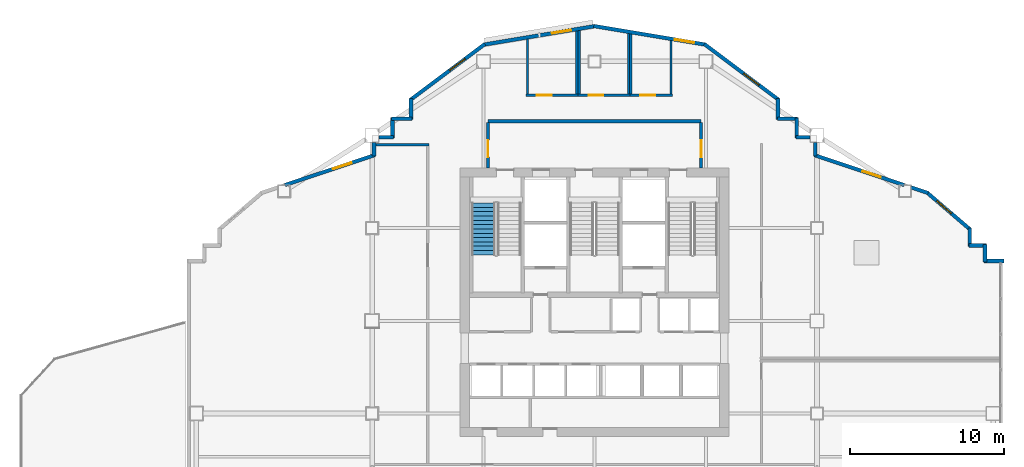
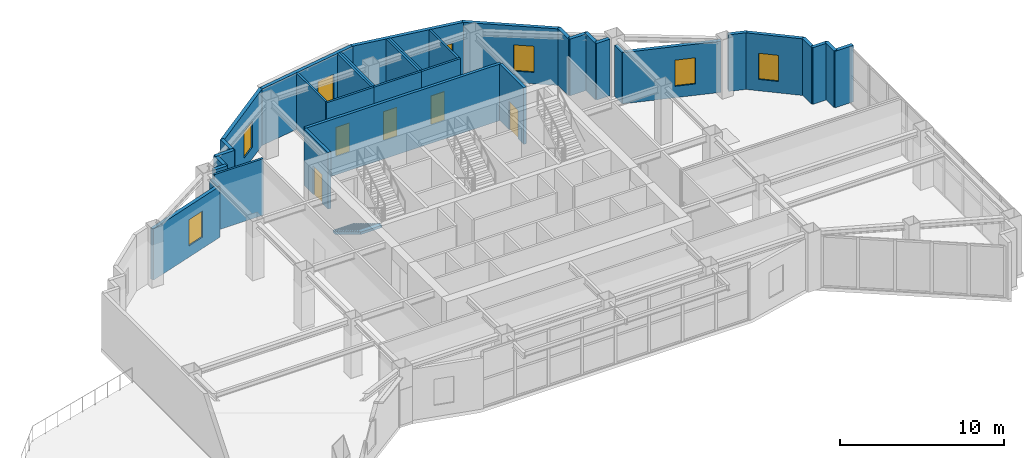
# One storey, part 11 of 16: 35 walls, 7 windows, 5 doors, 1 stair flight, 12 openings, 1 element without a shape of its own.
"""IFC4 building model written with IfcOpenShell, lengths in metres."""

from ifc_helpers import new_model, si_unit, direction, frame, frame_2d, origin, place, context, subcontext, project, spatial, polyline, rectangle, outline, extrude, material, layer, layer_set, type_object, element, fill, aggregate, save


model = new_model("IFC4")

# Units and contexts
model_context = context("Model", 3, precision=1e-05, world=origin(), true_north=direction((0.0, 1.0)))
body_context = subcontext(model_context, "Body", "Model", "MODEL_VIEW")
ifc_project = project(units=[si_unit("LENGTHUNIT", "METRE"), si_unit("AREAUNIT", "SQUARE_METRE"), si_unit("VOLUMEUNIT", "CUBIC_METRE"), si_unit("PLANEANGLEUNIT", "RADIAN"), si_unit("MASSUNIT", "GRAM", prefix="KILO")], contexts=[model_context])

# Site, building, storey
site_placement = place(None, origin())
site = spatial("IfcSite", under=ifc_project, at=site_placement, CompositionType="ELEMENT")
building_placement = place(site_placement, origin())
building = spatial("IfcBuilding", under=site, at=building_placement, Name="Haolan Belvedere Tower", CompositionType="ELEMENT")
storey_placement = place(building_placement, frame((0.0, 0.0, 164.60009765625)))
storey = spatial("IfcBuildingStorey", under=building, at=storey_placement, Name="L41", CompositionType="ELEMENT", Elevation=164.60009765625)

# Walls
ifc_material_1 = material(Name="Precast concrete C40/50", Category="concrete")
ifc_layer_1 = layer(ifc_material_1, 0.239990234375, Name="Precast concrete C40/50")
ifc_layer_set_1 = layer_set([ifc_layer_1], Name="Precast concrete C40/50")
wall_type_1 = type_object("IfcWallType", Name="WL-EXT-240", PredefinedType="SOLIDWALL", material=ifc_layer_set_1)
wall_1_placement = place(storey_placement, frame((64.905029296875, 37.47998046875, 0.0), z_axis=(0.0, 0.0, 1.0), x_axis=(-1.0, 0.0, 0.0)))
element("IfcWall", 1, at=wall_1_placement, inside=storey, type_object=wall_type_1, Name="L41 pale-metal exterior spandrel wall 9.1", PredefinedType="SOLIDWALL", context=body_context, shape_type="SweptSolid", body=[
    extrude(rectangle(XDim=1.280029296875, YDim=0.239990234375, at=frame_2d((0.64013671875, 0.0))), origin(), (0.0, 0.0, 1.0), 4.219970703125),
])
wall_2_placement = place(storey_placement, frame((63.679931640625, 37.425048828125, 0.0), z_axis=(0.0, 0.0, 1.0), x_axis=(0.0, 1.0, 0.0)))
element("IfcWall", 2, at=wall_2_placement, inside=storey, type_object=wall_type_1, Name="L41 pale-metal exterior spandrel wall 10.1", PredefinedType="SOLIDWALL", context=body_context, shape_type="SweptSolid", body=[
    extrude(rectangle(XDim=1.10986328125, YDim=0.239990234375, at=frame_2d((0.554931640625, 0.0))), origin(), (0.0, 0.0, 1.0), 4.219970703125),
])
wall_3_placement = place(storey_placement, frame((63.735107421875, 38.47998046875, 0.0), z_axis=(0.0, 0.0, 1.0), x_axis=(-1.0, 0.0, 0.0)))
element("IfcWall", 3, at=wall_3_placement, inside=storey, type_object=wall_type_1, Name="L41 pale-metal exterior spandrel wall 11.1", PredefinedType="SOLIDWALL", context=body_context, shape_type="SweptSolid", body=[
    extrude(rectangle(XDim=1.110107421875, YDim=0.239990234375, at=frame_2d((0.55517578125, 0.0))), origin(), (0.0, 0.0, 1.0), 4.219970703125),
])
wall_4_placement = place(storey_placement, frame((62.679931640625, 38.425048828125, 0.0), z_axis=(0.0, 0.0, 1.0), x_axis=(0.0, 1.0, 0.0)))
element("IfcWall", 4, at=wall_4_placement, inside=storey, type_object=wall_type_1, Name="L41 pale-metal exterior spandrel wall 12.1", PredefinedType="SOLIDWALL", context=body_context, shape_type="SweptSolid", body=[
    extrude(rectangle(XDim=1.1748046875, YDim=0.239990234375, at=frame_2d((0.58740234375, 0.0))), origin(), (0.0, 0.0, 1.0), 4.219970703125),
])

# Wall, opening, window
wall_5_placement = place(storey_placement, frame((62.7216796875, 39.509033203125, 0.0), z_axis=(0.0, 0.0, 1.0), x_axis=(-0.759247334792, 0.650802185469, 0.0)))
wall_5 = element("IfcWall", 5, at=wall_5_placement, inside=storey, type_object=wall_type_1, Name="L41 pale-metal exterior spandrel wall 13.1", PredefinedType="SOLIDWALL", context=body_context, shape_type="SweptSolid", body=[
    extrude(rectangle(XDim=3.71923828125, YDim=0.239990234375, at=frame_2d((1.859619140625, 0.0))), origin(), (0.0, 0.0, 1.0), 4.219970703125),
])
opening_1_placement = place(wall_5_placement, frame((1.60009765625, 0.0, 0.85009765625)))
opening_1 = element("IfcOpeningElement", 6, at=opening_1_placement, cuts=wall_5, Name="Opening W-04", PredefinedType="OPENING", context=body_context, shape_type="SweptSolid", body=[
    extrude(rectangle(XDim=1.25, YDim=1.949951171875, at=frame_2d((0.625, 0.97509765625))), frame((0.0, 0.1298828125, 0.0), z_axis=(0.0, -1.0, 0.0), x_axis=(1.0, 0.0, 0.0)), (0.0, 0.0, 1.0), 0.260009765625),
])
ifc_material_2 = material(Name="Anodised aluminium 6063-T6 and Low-E glass", Category="aluminium")
window_type = type_object("IfcWindowType", Name="WN-DECO-Z4", PartitioningType="SINGLE_PANEL", PredefinedType="WINDOW", material=ifc_material_2)
window_1_placement = place(opening_1_placement, origin())
window_1 = element("IfcWindow", 7, at=window_1_placement, inside=storey, type_object=window_type, Name="L41 Art Deco chevron window 1", OverallHeight=1.949951171875, OverallWidth=1.25, PartitioningType="SINGLE_PANEL", PredefinedType="WINDOW", context=body_context, shape_type="SweptSolid", body=[
    extrude(rectangle(XDim=1.25, YDim=1.949951171875, at=frame_2d((0.625, 0.97509765625))), frame((0.0, 0.030029296875, 0.0), z_axis=(0.0, -1.0, 0.0), x_axis=(1.0, 0.0, 0.0)), (0.0, 0.0, 1.0), 0.06005859375),
])
fill(opening_1, window_1)

# Wall
wall_6_placement = place(storey_placement, frame((59.991943359375, 41.876220703125, 0.0), z_axis=(0.0, 0.0, 1.0), x_axis=(-0.948662237962, 0.316290939272, 0.0)))
element("IfcWall", 8, at=wall_6_placement, inside=storey, type_object=wall_type_1, Name="L41 pale-metal exterior spandrel wall 14.1", PredefinedType="SOLIDWALL", context=body_context, shape_type="SweptSolid", body=[
    extrude(rectangle(XDim=1.159423828125, YDim=0.239990234375, at=frame_2d((0.57958984375, 0.0))), origin(), (0.0, 0.0, 1.0), 4.219970703125),
])

# Wall, opening, window
wall_7_placement = place(storey_placement, frame((58.444580078125, 42.39208984375, 0.0), z_axis=(0.0, 0.0, 1.0), x_axis=(-0.948695242668, 0.316191929909, 0.0)))
wall_7 = element("IfcWall", 9, at=wall_7_placement, inside=storey, type_object=wall_type_1, Name="L41 pale-metal exterior spandrel wall 14.2", PredefinedType="SOLIDWALL", context=body_context, shape_type="SweptSolid", body=[
    extrude(rectangle(XDim=6.13134765625, YDim=0.239990234375, at=frame_2d((3.065673828125, 0.0))), origin(), (0.0, 0.0, 1.0), 3.81494140625),
])
opening_2_placement = place(wall_7_placement, frame((1.60009765625, 0.0, 0.85009765625)))
opening_2 = element("IfcOpeningElement", 10, at=opening_2_placement, cuts=wall_7, Name="Opening W-04", PredefinedType="OPENING", context=body_context, shape_type="SweptSolid", body=[
    extrude(rectangle(XDim=1.25, YDim=1.949951171875, at=frame_2d((0.625, 0.97509765625))), frame((0.0, 0.1298828125, 0.0), z_axis=(0.0, -1.0, 0.0), x_axis=(1.0, 0.0, 0.0)), (0.0, 0.0, 1.0), 0.260009765625),
])
window_2_placement = place(opening_2_placement, origin())
window_2 = element("IfcWindow", 11, at=window_2_placement, inside=storey, type_object=window_type, Name="L41 Art Deco chevron window 1", OverallHeight=1.949951171875, OverallWidth=1.25, PartitioningType="SINGLE_PANEL", PredefinedType="WINDOW", context=body_context, shape_type="SweptSolid", body=[
    extrude(rectangle(XDim=1.25, YDim=1.949951171875, at=frame_2d((0.625, 0.97509765625))), frame((0.0, 0.030029296875, 0.0), z_axis=(0.0, -1.0, 0.0), x_axis=(1.0, 0.0, 0.0)), (0.0, 0.0, 1.0), 0.06005859375),
])
fill(opening_2, window_2)

# Walls
wall_8_placement = place(storey_placement, frame((52.679931640625, 44.258544921875, 0.0), z_axis=(0.0, 0.0, 1.0), x_axis=(0.0, 1.0, 0.0)))
element("IfcWall", 12, at=wall_8_placement, inside=storey, type_object=wall_type_1, Name="L41 pale-metal exterior spandrel wall 15.1", PredefinedType="SOLIDWALL", context=body_context, shape_type="SweptSolid", body=[
    extrude(rectangle(XDim=0.8994140625, YDim=0.239990234375, at=frame_2d((0.44970703125, 0.0))), origin(), (0.0, 0.0, 1.0), 3.81494140625),
])
wall_9_placement = place(storey_placement, frame((52.35791015625, 45.47998046875, 0.0), z_axis=(0.0, 0.0, 1.0), x_axis=(-1.0, 0.0, 0.0)))
element("IfcWall", 13, at=wall_9_placement, inside=storey, type_object=wall_type_1, Name="L41 pale-metal exterior spandrel wall 16.1", PredefinedType="SOLIDWALL", context=body_context, shape_type="SweptSolid", body=[
    extrude(rectangle(XDim=0.932861328125, YDim=0.239990234375, at=frame_2d((0.46630859375, 0.0))), origin(), (0.0, 0.0, 1.0), 4.219970703125),
])
wall_10_placement = place(storey_placement, frame((51.47998046875, 45.425048828125, 0.0), z_axis=(0.0, 0.0, 1.0), x_axis=(0.0, 1.0, 0.0)))
element("IfcWall", 14, at=wall_10_placement, inside=storey, type_object=wall_type_1, Name="L41 pale-metal exterior spandrel wall 17.1", PredefinedType="SOLIDWALL", context=body_context, shape_type="SweptSolid", body=[
    extrude(rectangle(XDim=1.31005859375, YDim=0.239990234375, at=frame_2d((0.655029296875, 0.0))), origin(), (0.0, 0.0, 1.0), 4.219970703125),
])
wall_11_placement = place(storey_placement, frame((51.534912109375, 46.679931640625, 0.0), z_axis=(0.0, 0.0, 1.0), x_axis=(-1.0, 0.0, 0.0)))
element("IfcWall", 15, at=wall_11_placement, inside=storey, type_object=wall_type_1, Name="L41 pale-metal exterior spandrel wall 18.1", PredefinedType="SOLIDWALL", context=body_context, shape_type="SweptSolid", body=[
    extrude(rectangle(XDim=1.309814453125, YDim=0.239990234375, at=frame_2d((0.65478515625, 0.0))), origin(), (0.0, 0.0, 1.0), 4.219970703125),
])
wall_12_placement = place(storey_placement, frame((50.280029296875, 46.625, 0.0), z_axis=(0.0, 0.0, 1.0), x_axis=(0.0, 1.0, 0.0)))
element("IfcWall", 16, at=wall_12_placement, inside=storey, type_object=wall_type_1, Name="L41 pale-metal exterior spandrel wall 19.1", PredefinedType="SOLIDWALL", context=body_context, shape_type="SweptSolid", body=[
    extrude(rectangle(XDim=1.3701171875, YDim=0.239990234375, at=frame_2d((0.68505859375, 0.0))), origin(), (0.0, 0.0, 1.0), 4.219970703125),
])

# Wall, opening, window
wall_13_placement = place(storey_placement, frame((50.323974609375, 47.906982421875, 0.0), z_axis=(0.0, 0.0, 1.0), x_axis=(-0.80001459783, 0.599980535734, 0.0)))
wall_13 = element("IfcWall", 17, at=wall_13_placement, inside=storey, type_object=wall_type_1, Name="L41 pale-metal exterior spandrel wall 20.1", PredefinedType="SOLIDWALL", context=body_context, shape_type="SweptSolid", body=[
    extrude(rectangle(XDim=6.020751953125, YDim=0.239990234375, at=frame_2d((3.01025390625, 0.0))), origin(), (0.0, 0.0, 1.0), 4.219970703125),
])
opening_3_placement = place(wall_13_placement, frame((1.60009765625, 0.0, 0.85009765625)))
opening_3 = element("IfcOpeningElement", 18, at=opening_3_placement, cuts=wall_13, Name="Opening W-04", PredefinedType="OPENING", context=body_context, shape_type="SweptSolid", body=[
    extrude(rectangle(XDim=1.25, YDim=1.949951171875, at=frame_2d((0.625, 0.97509765625))), frame((0.0, 0.1298828125, 0.0), z_axis=(0.0, -1.0, 0.0), x_axis=(1.0, 0.0, 0.0)), (0.0, 0.0, 1.0), 0.260009765625),
])
window_3_placement = place(opening_3_placement, origin())
window_3 = element("IfcWindow", 19, at=window_3_placement, inside=storey, type_object=window_type, Name="L41 Art Deco chevron window 1", OverallHeight=1.949951171875, OverallWidth=1.25, PartitioningType="SINGLE_PANEL", PredefinedType="WINDOW", context=body_context, shape_type="SweptSolid", body=[
    extrude(rectangle(XDim=1.25, YDim=1.949951171875, at=frame_2d((0.625, 0.97509765625))), frame((0.0, 0.030029296875, 0.0), z_axis=(0.0, -1.0, 0.0), x_axis=(1.0, 0.0, 0.0)), (0.0, 0.0, 1.0), 0.06005859375),
])
fill(opening_3, window_3)

wall_14_placement = place(storey_placement, frame((45.605712890625, 51.477294921875, 0.0), z_axis=(0.0, 0.0, 1.0), x_axis=(-0.986394820321, 0.164393608283, 0.0)))
wall_14 = element("IfcWall", 20, at=wall_14_placement, inside=storey, type_object=wall_type_1, Name="L41 pale-metal exterior spandrel wall 21.1", PredefinedType="SOLIDWALL", context=body_context, shape_type="SweptSolid", body=[
    extrude(rectangle(XDim=7.360107421875, YDim=0.239990234375, at=frame_2d((3.68017578125, 0.0))), origin(), (0.0, 0.0, 1.0), 4.219970703125),
])
opening_4_placement = place(wall_14_placement, frame((0.7841796875, 0.0, 0.85009765625)))
opening_4 = element("IfcOpeningElement", 21, at=opening_4_placement, cuts=wall_14, Name="Opening W-04", PredefinedType="OPENING", context=body_context, shape_type="SweptSolid", body=[
    extrude(rectangle(XDim=1.25, YDim=1.949951171875, at=frame_2d((0.625, 0.97509765625))), frame((0.0, 0.1298828125, 0.0), z_axis=(0.0, -1.0, 0.0), x_axis=(1.0, 0.0, 0.0)), (0.0, 0.0, 1.0), 0.260009765625),
])
window_4_placement = place(opening_4_placement, origin())
window_4 = element("IfcWindow", 22, at=window_4_placement, inside=storey, type_object=window_type, Name="L41 Art Deco chevron window 1", OverallHeight=1.949951171875, OverallWidth=1.25, PartitioningType="SINGLE_PANEL", PredefinedType="WINDOW", context=body_context, shape_type="SweptSolid", body=[
    extrude(rectangle(XDim=1.25, YDim=1.949951171875, at=frame_2d((0.625, 0.97509765625))), frame((0.0, 0.030029296875, 0.0), z_axis=(0.0, -1.0, 0.0), x_axis=(1.0, 0.0, 0.0)), (0.0, 0.0, 1.0), 0.06005859375),
])
fill(opening_4, window_4)

wall_15_placement = place(storey_placement, frame((38.454345703125, 52.687255859375, 0.0), z_axis=(0.0, 0.0, 1.0), x_axis=(-0.986394820321, -0.164393608283, 0.0)))
wall_15 = element("IfcWall", 23, at=wall_15_placement, inside=storey, type_object=wall_type_1, Name="L41 pale-metal exterior spandrel wall 22.1", PredefinedType="SOLIDWALL", context=body_context, shape_type="SweptSolid", body=[
    extrude(rectangle(XDim=7.360107421875, YDim=0.239990234375, at=frame_2d((3.68017578125, 0.0))), origin(), (0.0, 0.0, 1.0), 4.219970703125),
])
opening_5_placement = place(wall_15_placement, frame((1.60009765625, 0.0, 0.85009765625)))
opening_5 = element("IfcOpeningElement", 24, at=opening_5_placement, cuts=wall_15, Name="Opening W-04", PredefinedType="OPENING", context=body_context, shape_type="SweptSolid", body=[
    extrude(rectangle(XDim=1.25, YDim=1.949951171875, at=frame_2d((0.625, 0.97509765625))), frame((0.0, 0.1298828125, 0.0), z_axis=(0.0, -1.0, 0.0), x_axis=(1.0, 0.0, 0.0)), (0.0, 0.0, 1.0), 0.260009765625),
])
window_5_placement = place(opening_5_placement, origin())
window_5 = element("IfcWindow", 25, at=window_5_placement, inside=storey, type_object=window_type, Name="L41 Art Deco chevron window 1", OverallHeight=1.949951171875, OverallWidth=1.25, PartitioningType="SINGLE_PANEL", PredefinedType="WINDOW", context=body_context, shape_type="SweptSolid", body=[
    extrude(rectangle(XDim=1.25, YDim=1.949951171875, at=frame_2d((0.625, 0.97509765625))), frame((0.0, 0.030029296875, 0.0), z_axis=(0.0, -1.0, 0.0), x_axis=(1.0, 0.0, 0.0)), (0.0, 0.0, 1.0), 0.06005859375),
])
fill(opening_5, window_5)

wall_16_placement = place(storey_placement, frame((31.29248046875, 51.519287109375, 0.0), z_axis=(0.0, 0.0, 1.0), x_axis=(-0.8, -0.6, 0.0)))
wall_16 = element("IfcWall", 26, at=wall_16_placement, inside=storey, type_object=wall_type_1, Name="L41 pale-metal exterior spandrel wall 23.1", PredefinedType="SOLIDWALL", context=body_context, shape_type="SweptSolid", body=[
    extrude(rectangle(XDim=6.0205078125, YDim=0.239990234375, at=frame_2d((3.01025390625, 0.0))), origin(), (0.0, 0.0, 1.0), 4.219970703125),
])
opening_6_placement = place(wall_16_placement, frame((1.60009765625, 0.0, 0.85009765625)))
opening_6 = element("IfcOpeningElement", 27, at=opening_6_placement, cuts=wall_16, Name="Opening W-04", PredefinedType="OPENING", context=body_context, shape_type="SweptSolid", body=[
    extrude(rectangle(XDim=1.25, YDim=1.949951171875, at=frame_2d((0.625, 0.97509765625))), frame((0.0, 0.1298828125, 0.0), z_axis=(0.0, -1.0, 0.0), x_axis=(1.0, 0.0, 0.0)), (0.0, 0.0, 1.0), 0.260009765625),
])
window_6_placement = place(opening_6_placement, origin())
window_6 = element("IfcWindow", 28, at=window_6_placement, inside=storey, type_object=window_type, Name="L41 Art Deco chevron window 1", OverallHeight=1.949951171875, OverallWidth=1.25, PartitioningType="SINGLE_PANEL", PredefinedType="WINDOW", context=body_context, shape_type="SweptSolid", body=[
    extrude(rectangle(XDim=1.25, YDim=1.949951171875, at=frame_2d((0.625, 0.97509765625))), frame((0.0, 0.030029296875, 0.0), z_axis=(0.0, -1.0, 0.0), x_axis=(1.0, 0.0, 0.0)), (0.0, 0.0, 1.0), 0.06005859375),
])
fill(opening_6, window_6)

# Walls
wall_17_placement = place(storey_placement, frame((26.52001953125, 47.9951171875, 0.0), z_axis=(0.0, 0.0, 1.0), x_axis=(0.0, -1.0, 0.0)))
element("IfcWall", 29, at=wall_17_placement, inside=storey, type_object=wall_type_1, Name="L41 pale-metal exterior spandrel wall 24.1", PredefinedType="SOLIDWALL", context=body_context, shape_type="SweptSolid", body=[
    extrude(rectangle(XDim=1.3701171875, YDim=0.239990234375, at=frame_2d((0.68505859375, 0.0))), origin(), (0.0, 0.0, 1.0), 4.219970703125),
])
for number, where, z_axis, x_axis, name in (
    (30, (26.574951171875, 46.679931640625, 0.0), (0.0, 0.0, 1.0), (-1.0, 0.0, 0.0), "L41 pale-metal exterior spandrel wall 25.1"),
    (31, (25.320068359375, 46.735107421875, 0.0), (0.0, 0.0, 1.0), (0.0, -1.0, 0.0), "L41 pale-metal exterior spandrel wall 26.1"),
):
    element("IfcWall", number, at=place(storey_placement, frame(where, z_axis=z_axis, x_axis=x_axis)), inside=storey, type_object=wall_type_1, Name=name, PredefinedType="SOLIDWALL", context=body_context, shape_type="SweptSolid", body=[
        extrude(rectangle(XDim=1.31005859375, YDim=0.239990234375, at=frame_2d((0.655029296875, 0.0))), origin(), (0.0, 0.0, 1.0), 4.219970703125),
    ])
wall_18_placement = place(storey_placement, frame((25.375, 45.47998046875, 0.0), z_axis=(0.0, 0.0, 1.0), x_axis=(-1.0, 0.0, 0.0)))
element("IfcWall", 32, at=wall_18_placement, inside=storey, type_object=wall_type_1, Name="L41 pale-metal exterior spandrel wall 27.1", PredefinedType="SOLIDWALL", context=body_context, shape_type="SweptSolid", body=[
    extrude(rectangle(XDim=0.93310546875, YDim=0.239990234375, at=frame_2d((0.466552734375, 0.0))), origin(), (0.0, 0.0, 1.0), 4.219970703125),
])
wall_19_placement = place(storey_placement, frame((24.1201171875, 45.157958984375, 0.0), z_axis=(0.0, 0.0, 1.0), x_axis=(0.0, -1.0, 0.0)))
element("IfcWall", 33, at=wall_19_placement, inside=storey, type_object=wall_type_1, Name="L41 pale-metal exterior spandrel wall 28.1", PredefinedType="SOLIDWALL", context=body_context, shape_type="SweptSolid", body=[
    extrude(rectangle(XDim=0.8994140625, YDim=0.239990234375, at=frame_2d((0.44970703125, 0.0))), origin(), (0.0, 0.0, 1.0), 3.81494140625),
])

# Wall, opening, window
wall_20_placement = place(storey_placement, frame((24.172119140625, 44.330810546875, 0.0), z_axis=(0.0, 0.0, 1.0), x_axis=(-0.94869126158, -0.316203874426, 0.0)))
wall_20 = element("IfcWall", 34, at=wall_20_placement, inside=storey, type_object=wall_type_1, Name="L41 pale-metal exterior spandrel wall 29.1", PredefinedType="SOLIDWALL", context=body_context, shape_type="SweptSolid", body=[
    extrude(rectangle(XDim=6.13134765625, YDim=0.239990234375, at=frame_2d((3.065673828125, 0.0))), origin(), (0.0, 0.0, 1.0), 3.81494140625),
])
opening_7_placement = place(wall_20_placement, frame((1.60009765625, 0.0, 0.85009765625)))
opening_7 = element("IfcOpeningElement", 35, at=opening_7_placement, cuts=wall_20, Name="Opening W-04", PredefinedType="OPENING", context=body_context, shape_type="SweptSolid", body=[
    extrude(rectangle(XDim=1.25, YDim=1.949951171875, at=frame_2d((0.625, 0.97509765625))), frame((0.0, 0.1298828125, 0.0), z_axis=(0.0, -1.0, 0.0), x_axis=(1.0, 0.0, 0.0)), (0.0, 0.0, 1.0), 0.260009765625),
])
window_7_placement = place(opening_7_placement, origin())
window_7 = element("IfcWindow", 36, at=window_7_placement, inside=storey, type_object=window_type, Name="L41 Art Deco chevron window 1", OverallHeight=1.949951171875, OverallWidth=1.25, PartitioningType="SINGLE_PANEL", PredefinedType="WINDOW", context=body_context, shape_type="SweptSolid", body=[
    extrude(rectangle(XDim=1.25, YDim=1.949951171875, at=frame_2d((0.625, 0.97509765625))), frame((0.0, 0.030029296875, 0.0), z_axis=(0.0, -1.0, 0.0), x_axis=(1.0, 0.0, 0.0)), (0.0, 0.0, 1.0), 0.06005859375),
])
fill(opening_7, window_7)

# Wall
ifc_material_3 = material(Name="Concrete C40/50", Category="concrete")
ifc_layer_2 = layer(ifc_material_3, 0.199951171875, Name="Concrete C40/50")
ifc_layer_set_2 = layer_set([ifc_layer_2], Name="Concrete C40/50")
wall_type_2 = type_object("IfcWallType", Name="WL-FIRE-200", PredefinedType="SOLIDWALL", material=ifc_layer_set_2)
wall_21_placement = place(storey_placement, frame((31.5, 46.52001953125, 0.0), z_axis=(0.0, 0.0, 1.0), x_axis=(1.0, 0.0, 0.0)))
element("IfcWall", 37, at=wall_21_placement, inside=storey, type_object=wall_type_2, Name="L41 interior partition IW-L41-FFL-N", PredefinedType="SOLIDWALL", context=body_context, shape_type="SweptSolid", body=[
    extrude(rectangle(XDim=13.800048828125, YDim=0.199951171875, at=frame_2d((6.89990234375, 0.0))), origin(), (0.0, 0.0, 1.0), 4.219970703125),
])

# Wall, opening, door
wall_22_placement = place(storey_placement, frame((31.5, 43.5, 0.0), z_axis=(0.0, 0.0, 1.0), x_axis=(0.0, 1.0, 0.0)))
wall_22 = element("IfcWall", 38, at=wall_22_placement, inside=storey, type_object=wall_type_2, Name="L41 interior partition IW-L41-FFL-W", PredefinedType="SOLIDWALL", context=body_context, shape_type="SweptSolid", body=[
    extrude(rectangle(XDim=2.93505859375, YDim=0.199951171875, at=frame_2d((1.467529296875, 0.0))), origin(), (0.0, 0.0, 1.0), 4.219970703125),
])
opening_8_placement = place(wall_22_placement, frame((1.800048828125, 0.0, 0.0), z_axis=(0.0, 0.0, 1.0), x_axis=(-1.0, 0.0, 0.0)))
opening_8 = element("IfcOpeningElement", 39, at=opening_8_placement, cuts=wall_22, Name="Opening FD-03", PredefinedType="OPENING", context=body_context, shape_type="SweptSolid", body=[
    extrude(rectangle(XDim=1.10009765625, YDim=2.14990234375, at=frame_2d((0.550048828125, 1.074951171875))), frame((0.0, 0.10986328125, 0.0), z_axis=(0.0, -1.0, 0.0), x_axis=(1.0, 0.0, 0.0)), (0.0, 0.0, 1.0), 0.219970703125),
])
ifc_material_4 = material(Name="Galvanised fire-rated steel", Category="steel")
door_type_1 = type_object("IfcDoorType", Name="DR-FD90-1100", OperationType="NOTDEFINED", PredefinedType="DOOR", material=ifc_material_4)
door_1_placement = place(opening_8_placement, origin())
door_1 = element("IfcDoor", 40, at=door_1_placement, inside=storey, type_object=door_type_1, Name="L41 door ID-L41-FFL-DW", OperationType="SINGLE_SWING_LEFT", OverallHeight=2.14990234375, OverallWidth=1.10009765625, PredefinedType="DOOR", context=body_context, shape_type="SweptSolid", body=[
    extrude(rectangle(XDim=1.10009765625, YDim=2.14990234375, at=frame_2d((0.550048828125, 1.074951171875))), frame((0.0, 0.02490234375, 0.0), z_axis=(0.0, -1.0, 0.0), x_axis=(1.0, 0.0, 0.0)), (0.0, 0.0, 1.0), 0.050048828125),
])
fill(opening_8, door_1)

wall_23_placement = place(storey_placement, frame((45.300048828125, 43.5, 0.0), z_axis=(0.0, 0.0, 1.0), x_axis=(0.0, 1.0, 0.0)))
wall_23 = element("IfcWall", 41, at=wall_23_placement, inside=storey, type_object=wall_type_2, Name="L41 interior partition IW-L41-FFL-E", PredefinedType="SOLIDWALL", context=body_context, shape_type="SweptSolid", body=[
    extrude(rectangle(XDim=2.93505859375, YDim=0.199951171875, at=frame_2d((1.467529296875, 0.0))), origin(), (0.0, 0.0, 1.0), 4.219970703125),
])
opening_9_placement = place(wall_23_placement, frame((0.699951171875, 0.0, 0.0)))
opening_9 = element("IfcOpeningElement", 42, at=opening_9_placement, cuts=wall_23, Name="Opening FD-03", PredefinedType="OPENING", context=body_context, shape_type="SweptSolid", body=[
    extrude(rectangle(XDim=1.10009765625, YDim=2.14990234375, at=frame_2d((0.550048828125, 1.074951171875))), frame((0.0, 0.10986328125, 0.0), z_axis=(0.0, -1.0, 0.0), x_axis=(1.0, 0.0, 0.0)), (0.0, 0.0, 1.0), 0.219970703125),
])
door_2_placement = place(opening_9_placement, origin())
door_2 = element("IfcDoor", 43, at=door_2_placement, inside=storey, type_object=door_type_1, Name="L41 door ID-L41-FFL-DE", OperationType="SINGLE_SWING_RIGHT", OverallHeight=2.14990234375, OverallWidth=1.10009765625, PredefinedType="DOOR", context=body_context, shape_type="SweptSolid", body=[
    extrude(rectangle(XDim=1.10009765625, YDim=2.14990234375, at=frame_2d((0.550048828125, 1.074951171875))), frame((0.0, 0.02490234375, 0.0), z_axis=(0.0, -1.0, 0.0), x_axis=(1.0, 0.0, 0.0)), (0.0, 0.0, 1.0), 0.050048828125),
])
fill(opening_9, door_2)

ifc_material_5 = material(Name="Double gypsum acoustic stud partition", Category="masonry")
ifc_layer_3 = layer(ifc_material_5, 0.14990234375, Name="Double gypsum acoustic stud partition")
ifc_layer_set_3 = layer_set([ifc_layer_3], Name="Double gypsum acoustic stud partition")
wall_type_3 = type_object("IfcWallType", Name="WL-PART-150", PredefinedType="PARTITIONING", material=ifc_layer_set_3)
wall_24_placement = place(storey_placement, frame((33.969970703125, 48.199951171875, 0.0), z_axis=(0.0, 0.0, 1.0), x_axis=(1.0, 0.0, 0.0)))
wall_24 = element("IfcWall", 44, at=wall_24_placement, inside=storey, type_object=wall_type_3, Name="L41 interior partition IW-L41-WCM-S", PredefinedType="PARTITIONING", context=body_context, shape_type="SweptSolid", body=[
    extrude(rectangle(XDim=3.360107421875, YDim=0.14990234375, at=frame_2d((1.68017578125, 0.0))), origin(), (0.0, 0.0, 1.0), 4.219970703125),
])
opening_10_placement = place(wall_24_placement, frame((0.699951171875, 0.0, 0.0)))
opening_10 = element("IfcOpeningElement", 45, at=opening_10_placement, cuts=wall_24, Name="Opening ID-03", PredefinedType="OPENING", context=body_context, shape_type="SweptSolid", body=[
    extrude(rectangle(XDim=0.949951171875, YDim=2.1201171875, at=frame_2d((0.47509765625, 1.06005859375))), frame((0.0, 0.0849609375, 0.0), z_axis=(0.0, -1.0, 0.0), x_axis=(1.0, 0.0, 0.0)), (0.0, 0.0, 1.0), 0.169921875),
])
ifc_material_6 = material(Name="Painted solid-core timber", Category="wood")
door_type_2 = type_object("IfcDoorType", Name="DR-INT-950", OperationType="NOTDEFINED", PredefinedType="DOOR", material=ifc_material_6)
door_3_placement = place(opening_10_placement, origin())
door_3 = element("IfcDoor", 46, at=door_3_placement, inside=storey, type_object=door_type_2, Name="L41 door ID-L41-WCM", OperationType="SINGLE_SWING_LEFT", OverallHeight=2.1201171875, OverallWidth=0.949951171875, PredefinedType="DOOR", context=body_context, shape_type="SweptSolid", body=[
    extrude(rectangle(XDim=0.949951171875, YDim=2.1201171875, at=frame_2d((0.47509765625, 1.06005859375))), frame((0.0, 0.02490234375, 0.0), z_axis=(0.0, -1.0, 0.0), x_axis=(1.0, 0.0, 0.0)), (0.0, 0.0, 1.0), 0.050048828125),
])
fill(opening_10, door_3)

# Walls
wall_25_placement = place(storey_placement, frame((34.050048828125, 48.260009765625, 0.0), z_axis=(0.0, 0.0, 1.0), x_axis=(0.0, 1.0, 0.0)))
element("IfcWall", 47, at=wall_25_placement, inside=storey, type_object=wall_type_3, Name="L41 interior partition IW-L41-WCM-W", PredefinedType="PARTITIONING", context=body_context, shape_type="SweptSolid", body=[
    extrude(rectangle(XDim=3.5869140625, YDim=0.14990234375, at=frame_2d((1.79345703125, 0.0))), origin(), (0.0, 0.0, 1.0), 4.219970703125),
])
wall_26_placement = place(storey_placement, frame((37.25, 48.260009765625, 0.0), z_axis=(0.0, 0.0, 1.0), x_axis=(0.0, 1.0, 0.0)))
element("IfcWall", 48, at=wall_26_placement, inside=storey, type_object=wall_type_3, Name="L41 interior partition IW-L41-WCM-E", PredefinedType="PARTITIONING", context=body_context, shape_type="SweptSolid", body=[
    extrude(rectangle(XDim=4.1201171875, YDim=0.14990234375, at=frame_2d((2.06005859375, 0.0))), origin(), (0.0, 0.0, 1.0), 4.219970703125),
])

# Wall, opening, door
wall_27_placement = place(storey_placement, frame((37.33203125, 48.199951171875, 0.0), z_axis=(0.0, 0.0, 1.0), x_axis=(1.0, 0.0, 0.0)))
wall_27 = element("IfcWall", 49, at=wall_27_placement, inside=storey, type_object=wall_type_3, Name="L41 interior partition IW-L41-WCF-S", PredefinedType="PARTITIONING", context=body_context, shape_type="SweptSolid", body=[
    extrude(rectangle(XDim=3.347900390625, YDim=0.14990234375, at=frame_2d((1.673828125, 0.0))), origin(), (0.0, 0.0, 1.0), 4.219970703125),
])
opening_11_placement = place(wall_27_placement, frame((0.68798828125, 0.0, 0.0)))
opening_11 = element("IfcOpeningElement", 50, at=opening_11_placement, cuts=wall_27, Name="Opening ID-03", PredefinedType="OPENING", context=body_context, shape_type="SweptSolid", body=[
    extrude(rectangle(XDim=0.949951171875, YDim=2.1201171875, at=frame_2d((0.47509765625, 1.06005859375))), frame((0.0, 0.0849609375, 0.0), z_axis=(0.0, -1.0, 0.0), x_axis=(1.0, 0.0, 0.0)), (0.0, 0.0, 1.0), 0.169921875),
])
door_4_placement = place(opening_11_placement, origin())
door_4 = element("IfcDoor", 51, at=door_4_placement, inside=storey, type_object=door_type_2, Name="L41 door ID-L41-WCF", OperationType="SINGLE_SWING_RIGHT", OverallHeight=2.1201171875, OverallWidth=0.949951171875, PredefinedType="DOOR", context=body_context, shape_type="SweptSolid", body=[
    extrude(rectangle(XDim=0.949951171875, YDim=2.1201171875, at=frame_2d((0.47509765625, 1.06005859375))), frame((0.0, 0.02490234375, 0.0), z_axis=(0.0, -1.0, 0.0), x_axis=(1.0, 0.0, 0.0)), (0.0, 0.0, 1.0), 0.050048828125),
])
fill(opening_11, door_4)

# Walls
wall_28_placement = place(storey_placement, frame((37.39990234375, 48.260009765625, 0.0), z_axis=(0.0, 0.0, 1.0), x_axis=(0.0, 1.0, 0.0)))
element("IfcWall", 52, at=wall_28_placement, inside=storey, type_object=wall_type_3, Name="L41 interior partition IW-L41-WCF-W", PredefinedType="PARTITIONING", context=body_context, shape_type="SweptSolid", body=[
    extrude(rectangle(XDim=4.14501953125, YDim=0.14990234375, at=frame_2d((2.072509765625, 0.0))), origin(), (0.0, 0.0, 1.0), 4.219970703125),
])
wall_29_placement = place(storey_placement, frame((40.60009765625, 48.260009765625, 0.0), z_axis=(0.0, 0.0, 1.0), x_axis=(0.0, 1.0, 0.0)))
element("IfcWall", 53, at=wall_29_placement, inside=storey, type_object=wall_type_3, Name="L41 interior partition IW-L41-WCF-E", PredefinedType="PARTITIONING", context=body_context, shape_type="SweptSolid", body=[
    extrude(rectangle(XDim=3.945068359375, YDim=0.14990234375, at=frame_2d((1.97265625, 0.0))), origin(), (0.0, 0.0, 1.0), 4.219970703125),
])

# Wall, opening, door
wall_30_placement = place(storey_placement, frame((40.681884765625, 48.199951171875, 0.0), z_axis=(0.0, 0.0, 1.0), x_axis=(1.0, 0.0, 0.0)))
wall_30 = element("IfcWall", 54, at=wall_30_placement, inside=storey, type_object=wall_type_3, Name="L41 interior partition IW-L41-WCA-S", PredefinedType="PARTITIONING", context=body_context, shape_type="SweptSolid", body=[
    extrude(rectangle(XDim=2.748046875, YDim=0.14990234375, at=frame_2d((1.3740234375, 0.0))), origin(), (0.0, 0.0, 1.0), 4.219970703125),
])
opening_12_placement = place(wall_30_placement, frame((0.68798828125, 0.0, 0.0)))
opening_12 = element("IfcOpeningElement", 55, at=opening_12_placement, cuts=wall_30, Name="Opening ID-03", PredefinedType="OPENING", context=body_context, shape_type="SweptSolid", body=[
    extrude(rectangle(XDim=0.949951171875, YDim=2.1201171875, at=frame_2d((0.47509765625, 1.06005859375))), frame((0.0, 0.0849609375, 0.0), z_axis=(0.0, -1.0, 0.0), x_axis=(1.0, 0.0, 0.0)), (0.0, 0.0, 1.0), 0.169921875),
])
door_5_placement = place(opening_12_placement, origin())
door_5 = element("IfcDoor", 56, at=door_5_placement, inside=storey, type_object=door_type_2, Name="L41 door ID-L41-WCA", OperationType="SINGLE_SWING_LEFT", OverallHeight=2.1201171875, OverallWidth=0.949951171875, PredefinedType="DOOR", context=body_context, shape_type="SweptSolid", body=[
    extrude(rectangle(XDim=0.949951171875, YDim=2.1201171875, at=frame_2d((0.47509765625, 1.06005859375))), frame((0.0, 0.02490234375, 0.0), z_axis=(0.0, -1.0, 0.0), x_axis=(1.0, 0.0, 0.0)), (0.0, 0.0, 1.0), 0.050048828125),
])
fill(opening_12, door_5)

# Walls
wall_31_placement = place(storey_placement, frame((40.75, 48.260009765625, 0.0), z_axis=(0.0, 0.0, 1.0), x_axis=(0.0, 1.0, 0.0)))
element("IfcWall", 57, at=wall_31_placement, inside=storey, type_object=wall_type_3, Name="L41 interior partition IW-L41-WCA-W", PredefinedType="PARTITIONING", context=body_context, shape_type="SweptSolid", body=[
    extrude(rectangle(XDim=3.920166015625, YDim=0.14990234375, at=frame_2d((1.9599609375, 0.0))), origin(), (0.0, 0.0, 1.0), 4.219970703125),
])
wall_32_placement = place(storey_placement, frame((43.35009765625, 48.260009765625, 0.0), z_axis=(0.0, 0.0, 1.0), x_axis=(0.0, 1.0, 0.0)))
element("IfcWall", 58, at=wall_32_placement, inside=storey, type_object=wall_type_3, Name="L41 interior partition IW-L41-WCA-E", PredefinedType="PARTITIONING", context=body_context, shape_type="SweptSolid", body=[
    extrude(rectangle(XDim=3.48681640625, YDim=0.14990234375, at=frame_2d((1.743408203125, 0.0))), origin(), (0.0, 0.0, 1.0), 4.219970703125),
])
wall_33_placement = place(storey_placement, frame((24.22509765625, 45.0, 0.0), z_axis=(0.0, 0.0, 1.0), x_axis=(1.0, 0.0, 0.0)))
element("IfcWall", 59, at=wall_33_placement, inside=storey, type_object=wall_type_3, Name="L41 interior partition IW-L41-WLNG-N", PredefinedType="PARTITIONING", context=body_context, shape_type="SweptSolid", body=[
    extrude(rectangle(XDim=3.454833984375, YDim=0.14990234375, at=frame_2d((1.7275390625, 0.0))), origin(), (0.0, 0.0, 1.0), 4.219970703125),
])

# Stair, stair flight
stair_type = type_object("IfcStairType", Name="STR-DL-26R-169", PredefinedType="HALF_TURN_STAIR", material=ifc_material_3)
stair_placement = place(storey_placement, origin())
stair = element("IfcStair", 60, at=stair_placement, inside=storey, type_object=stair_type, Name="L41 Smokeproof Core Exit Stair ST1", PredefinedType="HALF_TURN_STAIR")
stair_flight_type = type_object("IfcStairFlightType", Name="SFL-DL-13R-169", PredefinedType="STRAIGHT", material=ifc_material_3)
stair_flight_placement = place(storey_placement, frame((31.2099609375, 41.22998046875, 0.0), z_axis=(0.0, 0.0, 1.0), x_axis=(0.0, -1.0, 0.0)))
stair_flight = element("IfcStairFlight", 61, at=stair_flight_placement, type_object=stair_flight_type, Name="ST1 flight 1", NumberOfRisers=13, NumberOfTreads=12, PredefinedType="STRAIGHT", RiserHeight=0.169230769, TreadLength=0.28, context=body_context, shape_type="SweptSolid", body=[
    extrude(outline(polyline([(0.0, 0.0), (0.0, 0.169189453125), (0.280029296875, 0.169189453125), (0.280029296875, 0.33837890625), (0.56005859375, 0.33837890625), (0.56005859375, 0.5078125), (0.840087890625, 0.5078125), (0.840087890625, 0.677001953125), (1.1201171875, 0.677001953125), (1.1201171875, 0.84619140625), (1.39990234375, 0.84619140625), (1.39990234375, 1.015380859375), (1.679931640625, 1.015380859375), (1.679931640625, 1.1845703125), (1.9599609375, 1.1845703125), (1.9599609375, 1.353759765625), (2.239990234375, 1.353759765625), (2.239990234375, 1.523193359375), (2.52001953125, 1.523193359375), (2.52001953125, 1.6923828125), (2.800048828125, 1.6923828125), (2.800048828125, 1.861572265625), (3.080078125, 1.861572265625), (3.080078125, 2.03076171875), (3.360107421875, 2.03076171875), (3.360107421875, 2.199951171875), (3.360107421875, 1.855712890625), (0.289794921875, 0.0), (0.0, 0.0)])), frame((0.0, 0.760009765625, 0.0), z_axis=(0.0, -1.0, 0.0), x_axis=(1.0, 0.0, 0.0)), (0.0, 0.0, 1.0), 1.52001953125),
])
aggregate(stair, [stair_flight])

save(model, "model.ifc")
